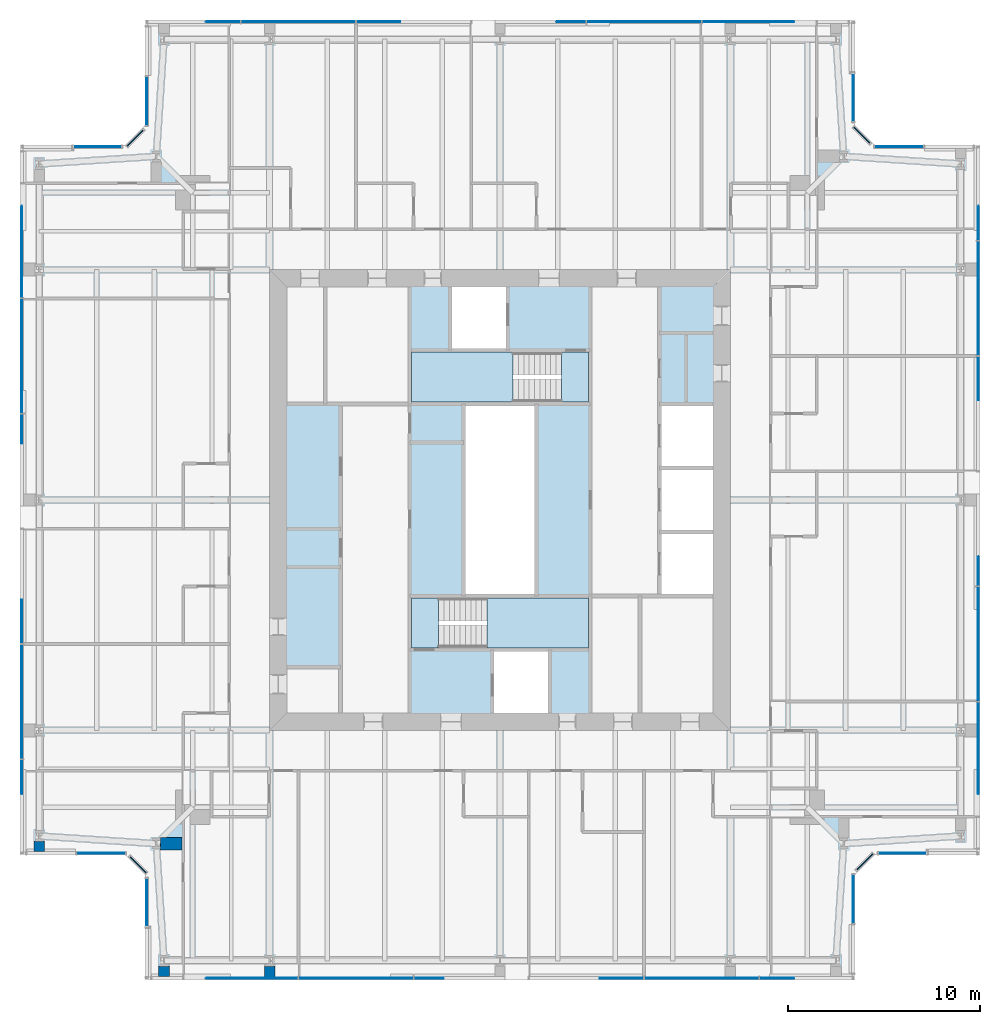
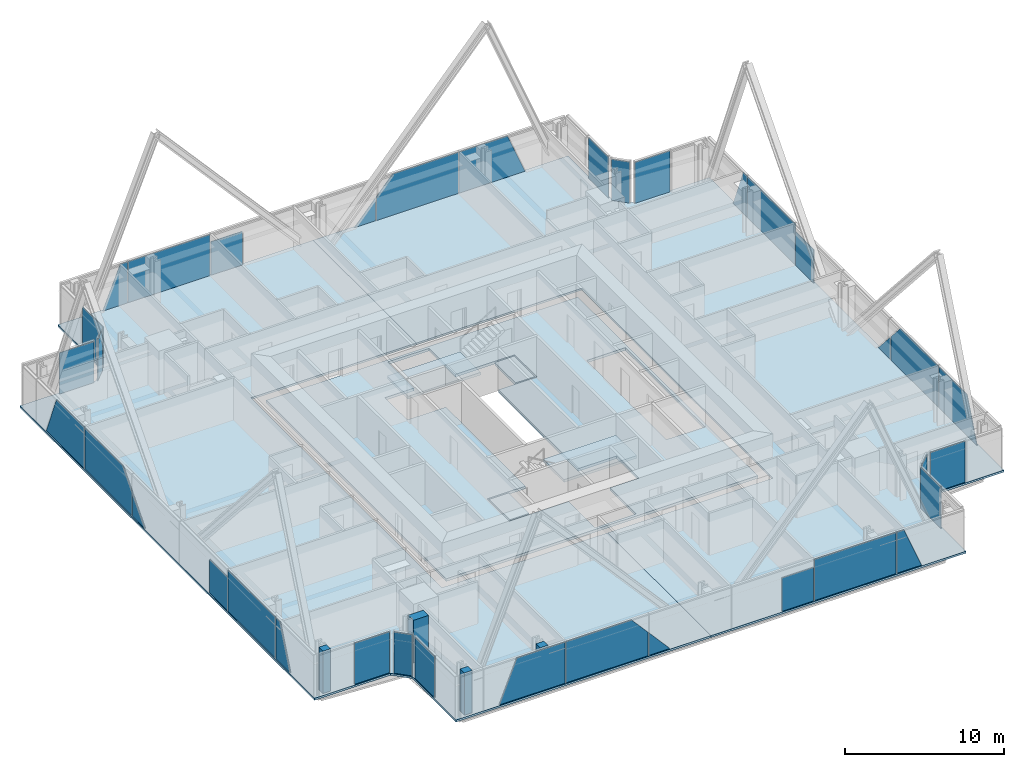
# One storey, part 10 of 20: 36 plates, 7 slabs, 4 walls, 18 elements without a shape of their own.
"""IFC4 building model written with IfcOpenShell, lengths in metres."""

import ifcopenshell
import ifcopenshell.guid

model = None  # the IFC model being written
_history = None  # IfcOwnerHistory: only IFC2X3 demands one
_inside = {}  # id of a spatial element -> (the spatial element, [elements in it])
_under = {}  # id of a project, library or spatial element -> (it, [spatial elements below it])
_declared = {}  # id of a project -> (the project, [libraries it declares])
_typed = {}  # id of a type object -> (the type object, [elements of that type])
_made_of = {}  # id of a material, layer set ... -> (it, [elements and type objects made of it])


def new_model(schema):
    """Start an empty IFC model of exactly this schema.

    Asked for "IFC4X3", IfcOpenShell would pick the latest addendum, in which some entities
    have other attributes; the version numbers below select the first issue.
    IFC2X3 requires an IfcOwnerHistory on every rooted entity: one is made here for all.
    """
    global model, _history
    if schema == "IFC4X3":
        model = ifcopenshell.file(schema_version=(4, 3, 0, 0))
    else:
        model = ifcopenshell.file(schema=schema)
    _inside.clear()
    _under.clear()
    _declared.clear()
    _typed.clear()
    _made_of.clear()
    _history = None
    if model.schema == "IFC2X3":
        org = make("IfcOrganization", Name="unknown")
        user = make(
            "IfcPersonAndOrganization",
            ThePerson=make("IfcPerson", FamilyName="unknown"),
            TheOrganization=org,
        )
        app = make(
            "IfcApplication",
            ApplicationDeveloper=org,
            Version="unknown",
            ApplicationFullName="unknown",
            ApplicationIdentifier="unknown",
        )
        _history = make(
            "IfcOwnerHistory",
            OwningUser=user,
            OwningApplication=app,
            ChangeAction="ADDED",
            CreationDate=0,
        )
    return model


def make(cls, **values):
    """One entity of the class cls with the attributes given. An attribute that is None is left unset."""
    return model.create_entity(
        cls, **{name: value for name, value in values.items() if value is not None}
    )


def rooted(cls, **values):
    """An entity with a GlobalId (a new one), such as an element, a storey or a relation."""
    return make(cls, GlobalId=ifcopenshell.guid.new(), OwnerHistory=_history, **values)


def si_unit(unit_type, name, prefix=None):
    """IfcSIUnit, for example si_unit("LENGTHUNIT", "METRE", prefix="MILLI")."""
    return make("IfcSIUnit", UnitType=unit_type, Prefix=prefix, Name=name)


def assignment(units):
    """IfcUnitAssignment: the units of a project."""
    return None if units is None else make("IfcUnitAssignment", Units=units)


def point(xyz):
    """IfcCartesianPoint."""
    return None if xyz is None else make("IfcCartesianPoint", Coordinates=xyz)


def direction(xyz):
    """IfcDirection."""
    return None if xyz is None else make("IfcDirection", DirectionRatios=xyz)


def frame(location, z_axis=None, x_axis=None):
    """IfcAxis2Placement3D, a coordinate frame: its origin and axes. An axis left out is left unset."""
    return make(
        "IfcAxis2Placement3D",
        Location=point(location),
        Axis=direction(z_axis),
        RefDirection=direction(x_axis),
    )


def frame_2d(location, x_axis=None):
    """IfcAxis2Placement2D, a coordinate frame in the plane: its origin and x axis."""
    return make(
        "IfcAxis2Placement2D", Location=point(location), RefDirection=direction(x_axis)
    )


def origin():
    """The frame at (0, 0, 0) with its axes left unset."""
    return frame((0.0, 0.0, 0.0))


def origin_2d():
    """The frame at (0, 0) in the plane with its x axis left unset."""
    return frame_2d((0.0, 0.0))


def place(relative_to, where):
    """IfcLocalPlacement: puts the frame where relative to a parent placement (None: the world)."""
    return make(
        "IfcLocalPlacement", PlacementRelTo=relative_to, RelativePlacement=where
    )


def context(
    kind, dimensions, precision=None, world=None, true_north=None, identifier=None
):
    """IfcGeometricRepresentationContext, for example the 3D "Model" context."""
    return make(
        "IfcGeometricRepresentationContext",
        ContextIdentifier=identifier,
        ContextType=kind,
        CoordinateSpaceDimension=dimensions,
        Precision=precision,
        WorldCoordinateSystem=world,
        TrueNorth=true_north,
    )


def subcontext(parent, identifier, kind, view, scale=None):
    """IfcGeometricRepresentationSubContext, for example "Body" below "Model"."""
    return make(
        "IfcGeometricRepresentationSubContext",
        ContextIdentifier=identifier,
        ContextType=kind,
        ParentContext=parent,
        TargetScale=scale,
        TargetView=view,
    )


def project(units=None, contexts=None):
    """IfcProject with its units and contexts."""
    return rooted(
        "IfcProject",
        Name="project",
        RepresentationContexts=contexts,
        UnitsInContext=assignment(units),
    )


def spatial(cls, under=None, at=None, **own):
    """A site, building, storey or space (cls), placed at a placement, below another one or the project."""
    s = rooted(cls, ObjectPlacement=at, **own)
    if under is not None:
        _under.setdefault(under.id(), (under, []))[1].append(s)
    return s


def polyline(points):
    """IfcPolyline through the points."""
    return make("IfcPolyline", Points=[point(p) for p in points])


def profile(cls, at=None, kind="AREA", **sizes):
    """A parametric profile (cls). Its sizes go by their IFC names, for example OverallWidth=200.0."""
    return make(cls, ProfileType=kind, Position=at, **sizes)


def rectangle(**sizes):
    """IfcRectangleProfileDef."""
    return profile("IfcRectangleProfileDef", **sizes)


def outline(outer, holes=None, kind="AREA"):
    """IfcArbitraryClosedProfileDef: a profile drawn as a closed curve; with holes, ...WithVoids."""
    if holes is None:
        return make("IfcArbitraryClosedProfileDef", ProfileType=kind, OuterCurve=outer)
    return make(
        "IfcArbitraryProfileDefWithVoids",
        ProfileType=kind,
        OuterCurve=outer,
        InnerCurves=holes,
    )


def extrude(swept, where, along, depth):
    """IfcExtrudedAreaSolid: the profile swept, set in the frame where, extruded along a direction by depth."""
    return make(
        "IfcExtrudedAreaSolid",
        SweptArea=swept,
        Position=where,
        ExtrudedDirection=direction(along),
        Depth=depth,
    )


def shape(context_of_items, identifier, shape_type, items):
    """IfcShapeRepresentation: the items that make up one representation, for example the "Body"."""
    return make(
        "IfcShapeRepresentation",
        ContextOfItems=context_of_items,
        RepresentationIdentifier=identifier,
        RepresentationType=shape_type,
        Items=items,
    )


def material(Name=None, Category=None):
    """IfcMaterial."""
    return make("IfcMaterial", Name=Name, Category=Category)


def layer(
    of_material, thickness, ventilated=None, Name=None, Category=None, Priority=None
):
    """IfcMaterialLayer: one layer of a wall or slab, of a material (None: an air gap)."""
    return make(
        "IfcMaterialLayer",
        Material=of_material,
        LayerThickness=thickness,
        IsVentilated=ventilated,
        Name=Name,
        Category=Category,
        Priority=Priority,
    )


def layer_set(layers, Name=None):
    """IfcMaterialLayerSet."""
    return make("IfcMaterialLayerSet", MaterialLayers=layers, LayerSetName=Name)


def made_of(thing, what):
    """Note that an element or type object is made of a material, layer set ...; save() writes the relation."""
    if what is not None:
        _made_of.setdefault(what.id(), (what, []))[1].append(thing)
    return thing


def type_object(cls, material=None, **own):
    """A type object (cls), such as IfcWallType, which elements share."""
    return made_of(rooted(cls, **own), material)


def element(
    cls,
    number,
    at=None,
    inside=None,
    cuts=None,
    type_object=None,
    material=None,
    context=None,
    identifier="Body",
    shape_type=None,
    held_by="IfcProductDefinitionShape",
    body=None,
    shapes=None,
    **own,
):
    """One element of the class cls, such as IfcWall. Its Tag is "e" and its number.

    at: its placement. inside: the storey or other place that contains it. cuts: it is an
    opening in that element (IfcRelVoidsElement). A single representation is given by context,
    identifier, shape_type and body (its items); several are given by shapes. held_by: the class
    of the entity that holds the representations. save() writes the other relations.
    """
    e = rooted(cls, Tag="e%d" % number, ObjectPlacement=at, **own)
    if body is not None:
        shapes = [shape(context, identifier, shape_type, body)]
    if shapes is not None:
        e.Representation = make(held_by, Representations=shapes)
    if inside is not None:
        _inside.setdefault(inside.id(), (inside, []))[1].append(e)
    if cuts is not None:
        rooted(
            "IfcRelVoidsElement", RelatingBuildingElement=cuts, RelatedOpeningElement=e
        )
    if type_object is not None:
        _typed.setdefault(type_object.id(), (type_object, []))[1].append(e)
    return made_of(e, material)


def aggregate(whole, parts):
    """IfcRelAggregates: a whole, such as a stair, and the parts it consists of."""
    return rooted("IfcRelAggregates", RelatingObject=whole, RelatedObjects=parts)


def save(model, path):
    """Write the relations noted so far, then the file.

    IfcRelAggregates (storeys below a building ...), IfcRelContainedInSpatialStructure (elements
    in a storey), IfcRelDefinesByType, IfcRelAssociatesMaterial and IfcRelDeclares: one each for
    every whole, place, type object, material and project.
    """
    for whole, parts in _under.values():
        aggregate(whole, parts)
    for where, things in _inside.values():
        rooted(
            "IfcRelContainedInSpatialStructure",
            RelatedElements=things,
            RelatingStructure=where,
        )
    for kind, things in _typed.values():
        rooted("IfcRelDefinesByType", RelatedObjects=things, RelatingType=kind)
    for what, things in _made_of.values():
        rooted("IfcRelAssociatesMaterial", RelatedObjects=things, RelatingMaterial=what)
    for by, libraries in _declared.values():
        rooted("IfcRelDeclares", RelatingContext=by, RelatedDefinitions=libraries)
    model.write(path)


model = new_model("IFC4")

# Units and contexts
model_context = context("Model", 3, precision=1e-05, world=origin(), true_north=direction((0.0, 1.0)))
body_context = subcontext(model_context, "Body", "Model", "MODEL_VIEW")
ifc_project = project(units=[si_unit("LENGTHUNIT", "METRE"), si_unit("AREAUNIT", "SQUARE_METRE"), si_unit("VOLUMEUNIT", "CUBIC_METRE"), si_unit("PLANEANGLEUNIT", "RADIAN"), si_unit("MASSUNIT", "GRAM", prefix="KILO")], contexts=[model_context])

# Site, building, storey
site_placement = place(None, origin())
site = spatial("IfcSite", under=ifc_project, at=site_placement, CompositionType="ELEMENT")
building_placement = place(site_placement, origin())
building = spatial("IfcBuilding", under=site, at=building_placement, Name="Fenwick Lantern Interchange", CompositionType="ELEMENT")
storey_placement = place(building_placement, frame((0.0, 0.0, 256.0)))
storey = spatial("IfcBuildingStorey", under=building, at=storey_placement, Name="L60", CompositionType="ELEMENT", Elevation=256.0)

# Slabs
ifc_material_1 = material(Name="Concrete f'c 35 MPa", Category="concrete")
ifc_layer_1 = layer(ifc_material_1, 0.199951171875)
ifc_layer_set_1 = layer_set([ifc_layer_1], Name="CORE FLOOR SLAB 200")
slab_type_1 = type_object("IfcSlabType", Name="CORE FLOOR SLAB 200", PredefinedType="FLOOR", material=ifc_layer_set_1)
slab_1_placement = place(storey_placement, frame((0.0, 0.0, -0.199951171875)))
element("IfcSlab", 1, at=slab_1_placement, inside=storey, type_object=slab_type_1, Name="L60/SLAB/CORE", PredefinedType="FLOOR", context=body_context, shape_type="SweptSolid", body=[
    extrude(outline(polyline([(13.699951171875, 36.300048828125), (36.300048828125, 36.300048828125), (36.300048828125, 13.699951171875), (13.699951171875, 13.699951171875), (13.699951171875, 36.300048828125)]), holes=[polyline([(24.60009765625, 13.89990234375), (27.60009765625, 13.89990234375), (27.60009765625, 17.199951171875), (29.699951171875, 17.199951171875), (29.699951171875, 20.0), (26.89990234375, 20.0), (26.89990234375, 30.0), (29.699951171875, 30.0), (29.699951171875, 32.800048828125), (25.39990234375, 32.800048828125), (25.39990234375, 36.10009765625), (22.39990234375, 36.10009765625), (22.39990234375, 32.800048828125), (20.300048828125, 32.800048828125), (20.300048828125, 30.0), (23.10009765625, 30.0), (23.10009765625, 20.0), (20.300048828125, 20.0), (20.300048828125, 17.199951171875), (24.60009765625, 17.199951171875), (24.60009765625, 13.89990234375)]), polyline([(33.300048828125, 20.0), (36.10009765625, 20.0), (36.10009765625, 23.333251953125), (36.10009765625, 26.666748046875), (36.10009765625, 30.0), (33.300048828125, 30.0), (33.300048828125, 26.666748046875), (33.300048828125, 23.333251953125), (33.300048828125, 20.0)])]), origin(), (0.0, 0.0, 1.0), 0.199951171875),
])
ifc_material_2 = material(Name="Concrete f'c 35 MPa", Category="concrete")
ifc_layer_2 = layer(ifc_material_2, 0.14990234375)
ifc_layer_set_2 = layer_set([ifc_layer_2], Name="Concrete f'c 35 MPa")
slab_type_2 = type_object("IfcSlabType", Name="FLOOR SLAB 150", PredefinedType="FLOOR", material=ifc_layer_set_2)
slab_2_placement = place(storey_placement, frame((0.0, 0.0, -0.14990234375)))
element("IfcSlab", 2, at=slab_2_placement, inside=storey, type_object=slab_type_2, Name="L60/SLAB/FW", PredefinedType="FLOOR", context=body_context, shape_type="SweptSolid", body=[
    extrude(outline(polyline([(6.5, 0.0), (6.5, 5.5), (5.5, 6.5), (0.0, 6.5), (0.0, 43.5), (5.5, 43.5), (6.5, 44.5), (6.5, 50.0), (25.0, 50.0), (25.0, 37.0), (13.0, 37.0), (13.0, 13.0), (25.0, 13.0), (25.0, 0.0), (6.5, 0.0)])), origin(), (0.0, 0.0, 1.0), 0.14990234375),
])
slab_3_placement = place(storey_placement, frame((0.0, 0.0, -0.14990234375)))
element("IfcSlab", 3, at=slab_3_placement, inside=storey, type_object=slab_type_2, Name="L60/SLAB/FE", PredefinedType="FLOOR", context=body_context, shape_type="SweptSolid", body=[
    extrude(outline(polyline([(43.5, 50.0), (43.5, 44.5), (44.5, 43.5), (50.0, 43.5), (50.0, 6.5), (44.5, 6.5), (43.5, 5.5), (43.5, 0.0), (25.0, 0.0), (25.0, 13.0), (37.0, 13.0), (37.0, 37.0), (25.0, 37.0), (25.0, 50.0), (43.5, 50.0)])), origin(), (0.0, 0.0, 1.0), 0.14990234375),
])

# Curtain wall, plates
ifc_material_3 = material(Name="Aluminium curtain wall frame", Category="aluminium")
curtain_wall_type = type_object("IfcCurtainWallType", Name="HOTEL CURTAIN WALL", PredefinedType="USERDEFINED", material=ifc_material_3)
curtain_wall_1_placement = place(storey_placement, origin())
curtain_wall_1 = element("IfcCurtainWall", 4, at=curtain_wall_1_placement, inside=storey, type_object=curtain_wall_type, Name="Hotel curtain wall 01", ObjectType="HOTEL CURTAIN WALL", PredefinedType="USERDEFINED")
ifc_material_4 = material(Name="Vision glass, acoustic laminated double glazed unit", Category="glass")
ifc_layer_3 = layer(ifc_material_4, 0.052001953125)
ifc_layer_set_3 = layer_set([ifc_layer_3], Name="HOTEL CURTAIN WALL PANEL 52")
plate_type = type_object("IfcPlateType", Name="HOTEL CURTAIN WALL PANEL 52", PredefinedType="CURTAIN_PANEL", material=ifc_layer_set_3)
plate_1_placement = place(storey_placement, frame((6.60009765625, 0.10009765625, 0.0), z_axis=(0.0, 0.0, 1.0), x_axis=(1.0, 0.0, 0.0)))
plate_1 = element("IfcPlate", 5, at=plate_1_placement, type_object=plate_type, Name="L60/CW/01/P01a", PredefinedType="CURTAIN_PANEL", context=body_context, shape_type="SweptSolid", body=[
    extrude(outline(polyline([(3.086669921875, 0.0), (7.8701171875, 0.0), (7.8701171875, 3.14990234375), (4.360595703125, 3.14990234375), (3.086669921875, 0.0)])), frame((0.0, 0.02587890625, 0.0), z_axis=(0.0, -1.0, 0.0), x_axis=(1.0, 0.0, 0.0)), (0.0, 0.0, 1.0), 0.052001953125),
])
plate_2_placement = place(storey_placement, frame((6.60009765625, 0.10009765625, 0.0), z_axis=(0.0, 0.0, 1.0), x_axis=(1.0, 0.0, 0.0)))
plate_2 = element("IfcPlate", 6, at=plate_2_placement, type_object=plate_type, Name="L60/CW/01/P02a", PredefinedType="CURTAIN_PANEL", context=body_context, shape_type="SweptSolid", body=[
    extrude(outline(polyline([(7.929931640625, 0.0), (13.8701171875, 0.0), (13.8701171875, 1.807373046875), (12.685302734375, 3.14990234375), (7.929931640625, 3.14990234375), (7.929931640625, 0.0)])), frame((0.0, 0.02587890625, 0.0), z_axis=(0.0, -1.0, 0.0), x_axis=(1.0, 0.0, 0.0)), (0.0, 0.0, 1.0), 0.052001953125),
])
plate_3_placement = place(storey_placement, frame((6.60009765625, 0.10009765625, 0.0), z_axis=(0.0, 0.0, 1.0), x_axis=(1.0, 0.0, 0.0)))
plate_3 = element("IfcPlate", 7, at=plate_3_placement, type_object=plate_type, Name="L60/CW/01/P03a", PredefinedType="CURTAIN_PANEL", context=body_context, shape_type="SweptSolid", body=[
    extrude(outline(polyline([(13.929931640625, 0.0), (15.46484375, 0.0), (13.929931640625, 1.739501953125), (13.929931640625, 0.0)])), frame((0.0, 0.02587890625, 0.0), z_axis=(0.0, -1.0, 0.0), x_axis=(1.0, 0.0, 0.0)), (0.0, 0.0, 1.0), 0.052001953125),
])
plate_4_placement = place(storey_placement, frame((6.60009765625, 0.10009765625, 0.0), z_axis=(0.0, 0.0, 1.0), x_axis=(1.0, 0.0, 0.0)))
plate_4 = element("IfcPlate", 8, at=plate_4_placement, type_object=plate_type, Name="L60/CW/01/P04a", PredefinedType="CURTAIN_PANEL", context=body_context, shape_type="SweptSolid", body=[
    extrude(outline(polyline([(23.600341796875, 0.0), (25.8701171875, 0.0), (25.8701171875, 2.56689453125), (23.600341796875, 2.56689453125), (23.600341796875, 0.0)])), frame((0.0, 0.02587890625, 0.0), z_axis=(0.0, -1.0, 0.0), x_axis=(1.0, 0.0, 0.0)), (0.0, 0.0, 1.0), 0.052001953125),
])
plate_5_placement = place(storey_placement, frame((35.5, 0.10009765625, 0.0), z_axis=(0.0, 0.0, 1.0), x_axis=(1.0, 0.0, 0.0)))
plate_5 = element("IfcPlate", 9, at=plate_5_placement, type_object=plate_type, Name="L60/CW/01/P05", PredefinedType="CURTAIN_PANEL", context=body_context, shape_type="SweptSolid", body=[
    extrude(rectangle(XDim=5.93994140625, YDim=0.052001953125, at=origin_2d()), origin(), (0.0, 0.0, 1.0), 3.14990234375),
])
plate_6_placement = place(storey_placement, frame((6.60009765625, 0.10009765625, 0.0), z_axis=(0.0, 0.0, 1.0), x_axis=(1.0, 0.0, 0.0)))
plate_6 = element("IfcPlate", 10, at=plate_6_placement, type_object=plate_type, Name="L60/CW/01/P06a", PredefinedType="CURTAIN_PANEL", context=body_context, shape_type="SweptSolid", body=[
    extrude(outline(polyline([(31.929931640625, 0.0), (33.71337890625, 0.0), (32.439453125, 3.14990234375), (31.929931640625, 3.14990234375), (31.929931640625, 0.0)])), frame((0.0, 0.02587890625, 0.0), z_axis=(0.0, -1.0, 0.0), x_axis=(1.0, 0.0, 0.0)), (0.0, 0.0, 1.0), 0.052001953125),
])
aggregate(curtain_wall_1, [plate_1, plate_2, plate_3, plate_4, plate_5, plate_6])

# Curtain wall, plate
curtain_wall_2_placement = place(storey_placement, origin())
curtain_wall_2 = element("IfcCurtainWall", 11, at=curtain_wall_2_placement, inside=storey, type_object=curtain_wall_type, Name="Hotel curtain wall 02", ObjectType="HOTEL CURTAIN WALL", PredefinedType="USERDEFINED")
plate_7_placement = place(storey_placement, frame((43.39990234375, 4.216064453125, 0.0), z_axis=(0.0, 0.0, 1.0), x_axis=(0.0, 1.0, 0.0)))
plate_7 = element("IfcPlate", 12, at=plate_7_placement, type_object=plate_type, Name="L60/CW/02/P01", PredefinedType="CURTAIN_PANEL", context=body_context, shape_type="SweptSolid", body=[
    extrude(rectangle(XDim=2.53076171875, YDim=0.052001953125, at=origin_2d()), origin(), (0.0, 0.0, 1.0), 3.14990234375),
])
aggregate(curtain_wall_2, [plate_7])

curtain_wall_3_placement = place(storey_placement, origin())
curtain_wall_3 = element("IfcCurtainWall", 13, at=curtain_wall_3_placement, inside=storey, type_object=curtain_wall_type, Name="Hotel curtain wall 03", ObjectType="HOTEL CURTAIN WALL", PredefinedType="USERDEFINED")
plate_8_placement = place(storey_placement, frame((44.0, 6.141357421875, 0.0), z_axis=(0.0, 0.0, 1.0), x_axis=(0.707106781187, 0.707106781187, 0.0)))
plate_8 = element("IfcPlate", 14, at=plate_8_placement, type_object=plate_type, Name="L60/CW/03/P00", PredefinedType="CURTAIN_PANEL", context=body_context, shape_type="SweptSolid", body=[
    extrude(rectangle(XDim=1.177001953125, YDim=0.052001953125, at=origin_2d()), origin(), (0.0, 0.0, 1.0), 3.14990234375),
])
aggregate(curtain_wall_3, [plate_8])

curtain_wall_4_placement = place(storey_placement, origin())
curtain_wall_4 = element("IfcCurtainWall", 15, at=curtain_wall_4_placement, inside=storey, type_object=curtain_wall_type, Name="Hotel curtain wall 04", ObjectType="HOTEL CURTAIN WALL", PredefinedType="USERDEFINED")
plate_9_placement = place(storey_placement, frame((44.45849609375, 6.60009765625, 0.0), z_axis=(0.0, 0.0, 1.0), x_axis=(1.0, 0.0, 0.0)))
plate_9 = element("IfcPlate", 16, at=plate_9_placement, type_object=plate_type, Name="L60/CW/04/P00a", PredefinedType="CURTAIN_PANEL", context=body_context, shape_type="SweptSolid", body=[
    extrude(outline(polyline([(0.260009765625, 0.0), (2.741455078125, 0.0), (2.741455078125, 3.14990234375), (0.260009765625, 3.14990234375), (0.260009765625, 0.0)])), frame((0.0, 0.02587890625, 0.0), z_axis=(0.0, -1.0, 0.0), x_axis=(1.0, 0.0, 0.0)), (0.0, 0.0, 1.0), 0.052001953125),
])
aggregate(curtain_wall_4, [plate_9])

# Curtain wall, plates
curtain_wall_5_placement = place(storey_placement, origin())
curtain_wall_5 = element("IfcCurtainWall", 17, at=curtain_wall_5_placement, inside=storey, type_object=curtain_wall_type, Name="Hotel curtain wall 05", ObjectType="HOTEL CURTAIN WALL", PredefinedType="USERDEFINED")
plate_10_placement = place(storey_placement, frame((49.89990234375, 6.60009765625, 0.0), z_axis=(0.0, 0.0, 1.0), x_axis=(0.0, 1.0, 0.0)))
plate_10 = element("IfcPlate", 18, at=plate_10_placement, type_object=plate_type, Name="L60/CW/05/P01a", PredefinedType="CURTAIN_PANEL", context=body_context, shape_type="SweptSolid", body=[
    extrude(outline(polyline([(3.086669921875, 0.0), (7.8701171875, 0.0), (7.8701171875, 3.14990234375), (4.360595703125, 3.14990234375), (3.086669921875, 0.0)])), frame((0.0, 0.02587890625, 0.0), z_axis=(0.0, -1.0, 0.0), x_axis=(1.0, 0.0, 0.0)), (0.0, 0.0, 1.0), 0.052001953125),
])
plate_11_placement = place(storey_placement, frame((49.89990234375, 6.60009765625, 0.0), z_axis=(0.0, 0.0, 1.0), x_axis=(0.0, 1.0, 0.0)))
plate_11 = element("IfcPlate", 19, at=plate_11_placement, type_object=plate_type, Name="L60/CW/05/P02a", PredefinedType="CURTAIN_PANEL", context=body_context, shape_type="SweptSolid", body=[
    extrude(outline(polyline([(7.929931640625, 0.0), (13.8701171875, 0.0), (13.8701171875, 1.807373046875), (12.685302734375, 3.14990234375), (7.929931640625, 3.14990234375), (7.929931640625, 0.0)])), frame((0.0, 0.02587890625, 0.0), z_axis=(0.0, -1.0, 0.0), x_axis=(1.0, 0.0, 0.0)), (0.0, 0.0, 1.0), 0.052001953125),
])
plate_12_placement = place(storey_placement, frame((49.89990234375, 6.60009765625, 0.0), z_axis=(0.0, 0.0, 1.0), x_axis=(0.0, 1.0, 0.0)))
plate_12 = element("IfcPlate", 20, at=plate_12_placement, type_object=plate_type, Name="L60/CW/05/P03a", PredefinedType="CURTAIN_PANEL", context=body_context, shape_type="SweptSolid", body=[
    extrude(outline(polyline([(13.929931640625, 0.0), (15.46484375, 0.0), (13.929931640625, 1.739501953125), (13.929931640625, 0.0)])), frame((0.0, 0.02587890625, 0.0), z_axis=(0.0, -1.0, 0.0), x_axis=(1.0, 0.0, 0.0)), (0.0, 0.0, 1.0), 0.052001953125),
])
plate_13_placement = place(storey_placement, frame((49.89990234375, 6.60009765625, 0.0), z_axis=(0.0, 0.0, 1.0), x_axis=(0.0, 1.0, 0.0)))
plate_13 = element("IfcPlate", 21, at=plate_13_placement, type_object=plate_type, Name="L60/CW/05/P04a", PredefinedType="CURTAIN_PANEL", context=body_context, shape_type="SweptSolid", body=[
    extrude(outline(polyline([(23.600341796875, 0.0), (25.8701171875, 0.0), (25.8701171875, 2.56689453125), (23.600341796875, 2.56689453125), (23.600341796875, 0.0)])), frame((0.0, 0.02587890625, 0.0), z_axis=(0.0, -1.0, 0.0), x_axis=(1.0, 0.0, 0.0)), (0.0, 0.0, 1.0), 0.052001953125),
])
plate_14_placement = place(storey_placement, frame((49.89990234375, 35.5, 0.0), z_axis=(0.0, 0.0, 1.0), x_axis=(0.0, 1.0, 0.0)))
plate_14 = element("IfcPlate", 22, at=plate_14_placement, type_object=plate_type, Name="L60/CW/05/P05", PredefinedType="CURTAIN_PANEL", context=body_context, shape_type="SweptSolid", body=[
    extrude(rectangle(XDim=5.93994140625, YDim=0.052001953125, at=origin_2d()), origin(), (0.0, 0.0, 1.0), 3.14990234375),
])
plate_15_placement = place(storey_placement, frame((49.89990234375, 6.60009765625, 0.0), z_axis=(0.0, 0.0, 1.0), x_axis=(0.0, 1.0, 0.0)))
plate_15 = element("IfcPlate", 23, at=plate_15_placement, type_object=plate_type, Name="L60/CW/05/P06a", PredefinedType="CURTAIN_PANEL", context=body_context, shape_type="SweptSolid", body=[
    extrude(outline(polyline([(31.929931640625, 0.0), (33.71337890625, 0.0), (32.439453125, 3.14990234375), (31.929931640625, 3.14990234375), (31.929931640625, 0.0)])), frame((0.0, 0.02587890625, 0.0), z_axis=(0.0, -1.0, 0.0), x_axis=(1.0, 0.0, 0.0)), (0.0, 0.0, 1.0), 0.052001953125),
])
aggregate(curtain_wall_5, [plate_10, plate_11, plate_12, plate_13, plate_14, plate_15])

# Curtain wall, plate
curtain_wall_6_placement = place(storey_placement, origin())
curtain_wall_6 = element("IfcCurtainWall", 24, at=curtain_wall_6_placement, inside=storey, type_object=curtain_wall_type, Name="Hotel curtain wall 06", ObjectType="HOTEL CURTAIN WALL", PredefinedType="USERDEFINED")
plate_16_placement = place(storey_placement, frame((45.783935546875, 43.39990234375, 0.0), z_axis=(0.0, 0.0, 1.0), x_axis=(-1.0, 0.0, 0.0)))
plate_16 = element("IfcPlate", 25, at=plate_16_placement, type_object=plate_type, Name="L60/CW/06/P01", PredefinedType="CURTAIN_PANEL", context=body_context, shape_type="SweptSolid", body=[
    extrude(rectangle(XDim=2.53076171875, YDim=0.052001953125, at=origin_2d()), origin(), (0.0, 0.0, 1.0), 3.14990234375),
])
aggregate(curtain_wall_6, [plate_16])

curtain_wall_7_placement = place(storey_placement, origin())
curtain_wall_7 = element("IfcCurtainWall", 26, at=curtain_wall_7_placement, inside=storey, type_object=curtain_wall_type, Name="Hotel curtain wall 07", ObjectType="HOTEL CURTAIN WALL", PredefinedType="USERDEFINED")
plate_17_placement = place(storey_placement, frame((43.858642578125, 44.0, 0.0), z_axis=(0.0, 0.0, 1.0), x_axis=(-0.707106781187, 0.707106781187, 0.0)))
plate_17 = element("IfcPlate", 27, at=plate_17_placement, type_object=plate_type, Name="L60/CW/07/P00", PredefinedType="CURTAIN_PANEL", context=body_context, shape_type="SweptSolid", body=[
    extrude(rectangle(XDim=1.177001953125, YDim=0.052001953125, at=origin_2d()), origin(), (0.0, 0.0, 1.0), 3.14990234375),
])
aggregate(curtain_wall_7, [plate_17])

curtain_wall_8_placement = place(storey_placement, origin())
curtain_wall_8 = element("IfcCurtainWall", 28, at=curtain_wall_8_placement, inside=storey, type_object=curtain_wall_type, Name="Hotel curtain wall 08", ObjectType="HOTEL CURTAIN WALL", PredefinedType="USERDEFINED")
plate_18_placement = place(storey_placement, frame((43.39990234375, 44.45849609375, 0.0), z_axis=(0.0, 0.0, 1.0), x_axis=(0.0, 1.0, 0.0)))
plate_18 = element("IfcPlate", 29, at=plate_18_placement, type_object=plate_type, Name="L60/CW/08/P00a", PredefinedType="CURTAIN_PANEL", context=body_context, shape_type="SweptSolid", body=[
    extrude(outline(polyline([(0.260009765625, 0.0), (2.741455078125, 0.0), (2.741455078125, 3.14990234375), (0.260009765625, 3.14990234375), (0.260009765625, 0.0)])), frame((0.0, 0.02587890625, 0.0), z_axis=(0.0, -1.0, 0.0), x_axis=(1.0, 0.0, 0.0)), (0.0, 0.0, 1.0), 0.052001953125),
])
aggregate(curtain_wall_8, [plate_18])

# Curtain wall, plates
curtain_wall_9_placement = place(storey_placement, origin())
curtain_wall_9 = element("IfcCurtainWall", 30, at=curtain_wall_9_placement, inside=storey, type_object=curtain_wall_type, Name="Hotel curtain wall 09", ObjectType="HOTEL CURTAIN WALL", PredefinedType="USERDEFINED")
plate_19_placement = place(storey_placement, frame((43.39990234375, 49.89990234375, 0.0), z_axis=(0.0, 0.0, 1.0), x_axis=(-1.0, 0.0, 0.0)))
plate_19 = element("IfcPlate", 31, at=plate_19_placement, type_object=plate_type, Name="L60/CW/09/P01a", PredefinedType="CURTAIN_PANEL", context=body_context, shape_type="SweptSolid", body=[
    extrude(outline(polyline([(3.086669921875, 0.0), (7.8701171875, 0.0), (7.8701171875, 3.14990234375), (4.360595703125, 3.14990234375), (3.086669921875, 0.0)])), frame((0.0, 0.02587890625, 0.0), z_axis=(0.0, -1.0, 0.0), x_axis=(1.0, 0.0, 0.0)), (0.0, 0.0, 1.0), 0.052001953125),
])
plate_20_placement = place(storey_placement, frame((43.39990234375, 49.89990234375, 0.0), z_axis=(0.0, 0.0, 1.0), x_axis=(-1.0, 0.0, 0.0)))
plate_20 = element("IfcPlate", 32, at=plate_20_placement, type_object=plate_type, Name="L60/CW/09/P02a", PredefinedType="CURTAIN_PANEL", context=body_context, shape_type="SweptSolid", body=[
    extrude(outline(polyline([(7.929931640625, 0.0), (13.8701171875, 0.0), (13.8701171875, 1.807373046875), (12.685302734375, 3.14990234375), (7.929931640625, 3.14990234375), (7.929931640625, 0.0)])), frame((0.0, 0.02587890625, 0.0), z_axis=(0.0, -1.0, 0.0), x_axis=(1.0, 0.0, 0.0)), (0.0, 0.0, 1.0), 0.052001953125),
])
plate_21_placement = place(storey_placement, frame((43.39990234375, 49.89990234375, 0.0), z_axis=(0.0, 0.0, 1.0), x_axis=(-1.0, 0.0, 0.0)))
plate_21 = element("IfcPlate", 33, at=plate_21_placement, type_object=plate_type, Name="L60/CW/09/P03a", PredefinedType="CURTAIN_PANEL", context=body_context, shape_type="SweptSolid", body=[
    extrude(outline(polyline([(13.929931640625, 0.0), (15.46484375, 0.0), (13.929931640625, 1.739501953125), (13.929931640625, 0.0)])), frame((0.0, 0.02587890625, 0.0), z_axis=(0.0, -1.0, 0.0), x_axis=(1.0, 0.0, 0.0)), (0.0, 0.0, 1.0), 0.052001953125),
])
plate_22_placement = place(storey_placement, frame((43.39990234375, 49.89990234375, 0.0), z_axis=(0.0, 0.0, 1.0), x_axis=(-1.0, 0.0, 0.0)))
plate_22 = element("IfcPlate", 34, at=plate_22_placement, type_object=plate_type, Name="L60/CW/09/P04a", PredefinedType="CURTAIN_PANEL", context=body_context, shape_type="SweptSolid", body=[
    extrude(outline(polyline([(23.600341796875, 0.0), (25.8701171875, 0.0), (25.8701171875, 2.56689453125), (23.600341796875, 2.56689453125), (23.600341796875, 0.0)])), frame((0.0, 0.02587890625, 0.0), z_axis=(0.0, -1.0, 0.0), x_axis=(1.0, 0.0, 0.0)), (0.0, 0.0, 1.0), 0.052001953125),
])
plate_23_placement = place(storey_placement, frame((14.5, 49.89990234375, 0.0), z_axis=(0.0, 0.0, 1.0), x_axis=(-1.0, 0.0, 0.0)))
plate_23 = element("IfcPlate", 35, at=plate_23_placement, type_object=plate_type, Name="L60/CW/09/P05", PredefinedType="CURTAIN_PANEL", context=body_context, shape_type="SweptSolid", body=[
    extrude(rectangle(XDim=5.93994140625, YDim=0.052001953125, at=origin_2d()), origin(), (0.0, 0.0, 1.0), 3.14990234375),
])
plate_24_placement = place(storey_placement, frame((43.39990234375, 49.89990234375, 0.0), z_axis=(0.0, 0.0, 1.0), x_axis=(-1.0, 0.0, 0.0)))
plate_24 = element("IfcPlate", 36, at=plate_24_placement, type_object=plate_type, Name="L60/CW/09/P06a", PredefinedType="CURTAIN_PANEL", context=body_context, shape_type="SweptSolid", body=[
    extrude(outline(polyline([(31.929931640625, 0.0), (33.71337890625, 0.0), (32.439453125, 3.14990234375), (31.929931640625, 3.14990234375), (31.929931640625, 0.0)])), frame((0.0, 0.02587890625, 0.0), z_axis=(0.0, -1.0, 0.0), x_axis=(1.0, 0.0, 0.0)), (0.0, 0.0, 1.0), 0.052001953125),
])
aggregate(curtain_wall_9, [plate_19, plate_20, plate_21, plate_22, plate_23, plate_24])

# Curtain wall, plate
curtain_wall_10_placement = place(storey_placement, origin())
curtain_wall_10 = element("IfcCurtainWall", 37, at=curtain_wall_10_placement, inside=storey, type_object=curtain_wall_type, Name="Hotel curtain wall 10", ObjectType="HOTEL CURTAIN WALL", PredefinedType="USERDEFINED")
plate_25_placement = place(storey_placement, frame((6.60009765625, 45.783935546875, 0.0), z_axis=(0.0, 0.0, 1.0), x_axis=(0.0, -1.0, 0.0)))
plate_25 = element("IfcPlate", 38, at=plate_25_placement, type_object=plate_type, Name="L60/CW/10/P01", PredefinedType="CURTAIN_PANEL", context=body_context, shape_type="SweptSolid", body=[
    extrude(rectangle(XDim=2.53076171875, YDim=0.052001953125, at=origin_2d()), origin(), (0.0, 0.0, 1.0), 3.14990234375),
])
aggregate(curtain_wall_10, [plate_25])

curtain_wall_11_placement = place(storey_placement, origin())
curtain_wall_11 = element("IfcCurtainWall", 39, at=curtain_wall_11_placement, inside=storey, type_object=curtain_wall_type, Name="Hotel curtain wall 11", ObjectType="HOTEL CURTAIN WALL", PredefinedType="USERDEFINED")
plate_26_placement = place(storey_placement, frame((6.0, 43.858642578125, 0.0), z_axis=(0.0, 0.0, 1.0), x_axis=(-0.707106781187, -0.707106781187, 0.0)))
plate_26 = element("IfcPlate", 40, at=plate_26_placement, type_object=plate_type, Name="L60/CW/11/P00", PredefinedType="CURTAIN_PANEL", context=body_context, shape_type="SweptSolid", body=[
    extrude(rectangle(XDim=1.177001953125, YDim=0.052001953125, at=origin_2d()), origin(), (0.0, 0.0, 1.0), 3.14990234375),
])
aggregate(curtain_wall_11, [plate_26])

curtain_wall_12_placement = place(storey_placement, origin())
curtain_wall_12 = element("IfcCurtainWall", 41, at=curtain_wall_12_placement, inside=storey, type_object=curtain_wall_type, Name="Hotel curtain wall 12", ObjectType="HOTEL CURTAIN WALL", PredefinedType="USERDEFINED")
plate_27_placement = place(storey_placement, frame((5.54150390625, 43.39990234375, 0.0), z_axis=(0.0, 0.0, 1.0), x_axis=(-1.0, 0.0, 0.0)))
plate_27 = element("IfcPlate", 42, at=plate_27_placement, type_object=plate_type, Name="L60/CW/12/P00a", PredefinedType="CURTAIN_PANEL", context=body_context, shape_type="SweptSolid", body=[
    extrude(outline(polyline([(0.260009765625, 0.0), (2.741455078125, 0.0), (2.741455078125, 3.14990234375), (0.260009765625, 3.14990234375), (0.260009765625, 0.0)])), frame((0.0, 0.02587890625, 0.0), z_axis=(0.0, -1.0, 0.0), x_axis=(1.0, 0.0, 0.0)), (0.0, 0.0, 1.0), 0.052001953125),
])
aggregate(curtain_wall_12, [plate_27])

# Curtain wall, plates
curtain_wall_13_placement = place(storey_placement, origin())
curtain_wall_13 = element("IfcCurtainWall", 43, at=curtain_wall_13_placement, inside=storey, type_object=curtain_wall_type, Name="Hotel curtain wall 13", ObjectType="HOTEL CURTAIN WALL", PredefinedType="USERDEFINED")
plate_28_placement = place(storey_placement, frame((0.10009765625, 43.39990234375, 0.0), z_axis=(0.0, 0.0, 1.0), x_axis=(0.0, -1.0, 0.0)))
plate_28 = element("IfcPlate", 44, at=plate_28_placement, type_object=plate_type, Name="L60/CW/13/P01a", PredefinedType="CURTAIN_PANEL", context=body_context, shape_type="SweptSolid", body=[
    extrude(outline(polyline([(3.086669921875, 0.0), (7.8701171875, 0.0), (7.8701171875, 3.14990234375), (4.360595703125, 3.14990234375), (3.086669921875, 0.0)])), frame((0.0, 0.02587890625, 0.0), z_axis=(0.0, -1.0, 0.0), x_axis=(1.0, 0.0, 0.0)), (0.0, 0.0, 1.0), 0.052001953125),
])
plate_29_placement = place(storey_placement, frame((0.10009765625, 43.39990234375, 0.0), z_axis=(0.0, 0.0, 1.0), x_axis=(0.0, -1.0, 0.0)))
plate_29 = element("IfcPlate", 45, at=plate_29_placement, type_object=plate_type, Name="L60/CW/13/P02a", PredefinedType="CURTAIN_PANEL", context=body_context, shape_type="SweptSolid", body=[
    extrude(outline(polyline([(7.929931640625, 0.0), (13.8701171875, 0.0), (13.8701171875, 1.807373046875), (12.685302734375, 3.14990234375), (7.929931640625, 3.14990234375), (7.929931640625, 0.0)])), frame((0.0, 0.02587890625, 0.0), z_axis=(0.0, -1.0, 0.0), x_axis=(1.0, 0.0, 0.0)), (0.0, 0.0, 1.0), 0.052001953125),
])
plate_30_placement = place(storey_placement, frame((0.10009765625, 43.39990234375, 0.0), z_axis=(0.0, 0.0, 1.0), x_axis=(0.0, -1.0, 0.0)))
plate_30 = element("IfcPlate", 46, at=plate_30_placement, type_object=plate_type, Name="L60/CW/13/P03a", PredefinedType="CURTAIN_PANEL", context=body_context, shape_type="SweptSolid", body=[
    extrude(outline(polyline([(13.929931640625, 0.0), (15.46484375, 0.0), (13.929931640625, 1.739501953125), (13.929931640625, 0.0)])), frame((0.0, 0.02587890625, 0.0), z_axis=(0.0, -1.0, 0.0), x_axis=(1.0, 0.0, 0.0)), (0.0, 0.0, 1.0), 0.052001953125),
])
plate_31_placement = place(storey_placement, frame((0.10009765625, 43.39990234375, 0.0), z_axis=(0.0, 0.0, 1.0), x_axis=(0.0, -1.0, 0.0)))
plate_31 = element("IfcPlate", 47, at=plate_31_placement, type_object=plate_type, Name="L60/CW/13/P04a", PredefinedType="CURTAIN_PANEL", context=body_context, shape_type="SweptSolid", body=[
    extrude(outline(polyline([(23.600341796875, 0.0), (25.8701171875, 0.0), (25.8701171875, 2.56689453125), (23.600341796875, 2.56689453125), (23.600341796875, 0.0)])), frame((0.0, 0.02587890625, 0.0), z_axis=(0.0, -1.0, 0.0), x_axis=(1.0, 0.0, 0.0)), (0.0, 0.0, 1.0), 0.052001953125),
])
plate_32_placement = place(storey_placement, frame((0.10009765625, 14.5, 0.0), z_axis=(0.0, 0.0, 1.0), x_axis=(0.0, -1.0, 0.0)))
plate_32 = element("IfcPlate", 48, at=plate_32_placement, type_object=plate_type, Name="L60/CW/13/P05", PredefinedType="CURTAIN_PANEL", context=body_context, shape_type="SweptSolid", body=[
    extrude(rectangle(XDim=5.93994140625, YDim=0.052001953125, at=origin_2d()), origin(), (0.0, 0.0, 1.0), 3.14990234375),
])
plate_33_placement = place(storey_placement, frame((0.10009765625, 43.39990234375, 0.0), z_axis=(0.0, 0.0, 1.0), x_axis=(0.0, -1.0, 0.0)))
plate_33 = element("IfcPlate", 49, at=plate_33_placement, type_object=plate_type, Name="L60/CW/13/P06a", PredefinedType="CURTAIN_PANEL", context=body_context, shape_type="SweptSolid", body=[
    extrude(outline(polyline([(31.929931640625, 0.0), (33.71337890625, 0.0), (32.439453125, 3.14990234375), (31.929931640625, 3.14990234375), (31.929931640625, 0.0)])), frame((0.0, 0.02587890625, 0.0), z_axis=(0.0, -1.0, 0.0), x_axis=(1.0, 0.0, 0.0)), (0.0, 0.0, 1.0), 0.052001953125),
])
aggregate(curtain_wall_13, [plate_28, plate_29, plate_30, plate_31, plate_32, plate_33])

# Curtain wall, plate
curtain_wall_14_placement = place(storey_placement, origin())
curtain_wall_14 = element("IfcCurtainWall", 50, at=curtain_wall_14_placement, inside=storey, type_object=curtain_wall_type, Name="Hotel curtain wall 14", ObjectType="HOTEL CURTAIN WALL", PredefinedType="USERDEFINED")
plate_34_placement = place(storey_placement, frame((4.216064453125, 6.60009765625, 0.0), z_axis=(0.0, 0.0, 1.0), x_axis=(1.0, 0.0, 0.0)))
plate_34 = element("IfcPlate", 51, at=plate_34_placement, type_object=plate_type, Name="L60/CW/14/P01", PredefinedType="CURTAIN_PANEL", context=body_context, shape_type="SweptSolid", body=[
    extrude(rectangle(XDim=2.53076171875, YDim=0.052001953125, at=origin_2d()), origin(), (0.0, 0.0, 1.0), 3.14990234375),
])
aggregate(curtain_wall_14, [plate_34])

curtain_wall_15_placement = place(storey_placement, origin())
curtain_wall_15 = element("IfcCurtainWall", 52, at=curtain_wall_15_placement, inside=storey, type_object=curtain_wall_type, Name="Hotel curtain wall 15", ObjectType="HOTEL CURTAIN WALL", PredefinedType="USERDEFINED")
plate_35_placement = place(storey_placement, frame((6.141357421875, 6.0, 0.0), z_axis=(0.0, 0.0, 1.0), x_axis=(0.707106781187, -0.707106781187, 0.0)))
plate_35 = element("IfcPlate", 53, at=plate_35_placement, type_object=plate_type, Name="L60/CW/15/P00", PredefinedType="CURTAIN_PANEL", context=body_context, shape_type="SweptSolid", body=[
    extrude(rectangle(XDim=1.177001953125, YDim=0.052001953125, at=origin_2d()), origin(), (0.0, 0.0, 1.0), 3.14990234375),
])
aggregate(curtain_wall_15, [plate_35])

curtain_wall_16_placement = place(storey_placement, origin())
curtain_wall_16 = element("IfcCurtainWall", 54, at=curtain_wall_16_placement, inside=storey, type_object=curtain_wall_type, Name="Hotel curtain wall 16", ObjectType="HOTEL CURTAIN WALL", PredefinedType="USERDEFINED")
plate_36_placement = place(storey_placement, frame((6.60009765625, 5.54150390625, 0.0), z_axis=(0.0, 0.0, 1.0), x_axis=(0.0, -1.0, 0.0)))
plate_36 = element("IfcPlate", 55, at=plate_36_placement, type_object=plate_type, Name="L60/CW/16/P00a", PredefinedType="CURTAIN_PANEL", context=body_context, shape_type="SweptSolid", body=[
    extrude(outline(polyline([(0.260009765625, 0.0), (2.741455078125, 0.0), (2.741455078125, 3.14990234375), (0.260009765625, 3.14990234375), (0.260009765625, 0.0)])), frame((0.0, 0.02587890625, 0.0), z_axis=(0.0, -1.0, 0.0), x_axis=(1.0, 0.0, 0.0)), (0.0, 0.0, 1.0), 0.052001953125),
])
aggregate(curtain_wall_16, [plate_36])

# Stair, slabs
ifc_material_5 = material(Name="Precast concrete f'c 35 MPa", Category="concrete")
stair_type = type_object("IfcStairType", Name="EXIT STAIR 1200", PredefinedType="HALF_TURN_STAIR", material=ifc_material_5)
stair_1_placement = place(storey_placement, origin())
stair_1 = element("IfcStair", 56, at=stair_1_placement, inside=storey, type_object=stair_type, Name="Exit stair ST1", PredefinedType="HALF_TURN_STAIR")
ifc_layer_4 = layer(ifc_material_1, 0.199951171875)
ifc_layer_set_4 = layer_set([ifc_layer_4], Name="STAIR LANDING 200")
slab_type_3 = type_object("IfcSlabType", Name="STAIR LANDING 200", PredefinedType="LANDING", material=ifc_layer_set_4)
slab_4_placement = place(storey_placement, frame((0.0, 0.0, 1.5)))
slab_4 = element("IfcSlab", 57, at=slab_4_placement, type_object=slab_type_3, Name="ST1 landing 1", PredefinedType="LANDING", context=body_context, shape_type="SweptSolid", body=[
    extrude(outline(polyline([(24.320068359375, 17.300048828125), (29.60009765625, 17.300048828125), (29.60009765625, 19.89990234375), (24.320068359375, 19.89990234375), (24.320068359375, 17.300048828125)])), origin(), (0.0, 0.0, 1.0), 0.199951171875),
])
slab_5_placement = place(storey_placement, frame((0.0, 0.0, -0.199951171875)))
slab_5 = element("IfcSlab", 58, at=slab_5_placement, type_object=slab_type_3, Name="ST1 landing 2", PredefinedType="LANDING", context=body_context, shape_type="SweptSolid", body=[
    extrude(outline(polyline([(20.39990234375, 17.300048828125), (21.800048828125, 17.300048828125), (21.800048828125, 19.89990234375), (20.39990234375, 19.89990234375), (20.39990234375, 17.300048828125)])), origin(), (0.0, 0.0, 1.0), 0.199951171875),
])
aggregate(stair_1, [slab_4, slab_5])

stair_2_placement = place(storey_placement, origin())
stair_2 = element("IfcStair", 59, at=stair_2_placement, inside=storey, type_object=stair_type, Name="Exit stair ST2", PredefinedType="HALF_TURN_STAIR")
slab_6_placement = place(storey_placement, frame((0.0, 0.0, 1.5)))
slab_6 = element("IfcSlab", 60, at=slab_6_placement, type_object=slab_type_3, Name="ST2 landing 1", PredefinedType="LANDING", context=body_context, shape_type="SweptSolid", body=[
    extrude(outline(polyline([(25.679931640625, 32.699951171875), (20.39990234375, 32.699951171875), (20.39990234375, 30.10009765625), (25.679931640625, 30.10009765625), (25.679931640625, 32.699951171875)])), origin(), (0.0, 0.0, 1.0), 0.199951171875),
])
slab_7_placement = place(storey_placement, frame((0.0, 0.0, -0.199951171875)))
slab_7 = element("IfcSlab", 61, at=slab_7_placement, type_object=slab_type_3, Name="ST2 landing 2", PredefinedType="LANDING", context=body_context, shape_type="SweptSolid", body=[
    extrude(outline(polyline([(29.60009765625, 32.699951171875), (28.199951171875, 32.699951171875), (28.199951171875, 30.10009765625), (29.60009765625, 30.10009765625), (29.60009765625, 32.699951171875)])), origin(), (0.0, 0.0, 1.0), 0.199951171875),
])
aggregate(stair_2, [slab_6, slab_7])

# Walls
ifc_material_6 = material(Name="Fire-rated gypsum board encasement on steel studs, 2 hour", Category="steel")
ifc_layer_5 = layer(ifc_material_6, 0.554931640625)
ifc_layer_set_5 = layer_set([ifc_layer_5], Name="COLUMN PIER 555")
wall_type_1 = type_object("IfcWallType", Name="COLUMN PIER 555", PredefinedType="PARTITIONING", material=ifc_layer_set_5)
for number, where, z_axis, x_axis, name in (
    (62, (7.5, 0.18994140625, 0.0), (0.0, 0.0, 1.0), (0.0, 1.0, 0.0), "L60/W/PIER/CS1"),
    (63, (1.0, 6.68994140625, 0.0), (0.0, 0.0, 1.0), (0.0, 1.0, 0.0), "L60/W/PIER/CW5"),
    (64, (13.0, 0.18994140625, 0.0), (0.0, 0.0, 1.0), (0.0, 1.0, 0.0), "L60/W/PIER/CS2"),
):
    element("IfcWall", number, at=place(storey_placement, frame(where, z_axis=z_axis, x_axis=x_axis)), inside=storey, type_object=wall_type_1, Name=name, PredefinedType="PARTITIONING", context=body_context, shape_type="SweptSolid", body=[
        extrude(rectangle(XDim=0.525634765625, YDim=0.554931640625, at=frame_2d((0.2626953125, 0.0))), origin(), (0.0, 0.0, 1.0), 3.25),
    ])
ifc_layer_6 = layer(ifc_material_6, 0.6689453125)
ifc_layer_set_6 = layer_set([ifc_layer_6], Name="COLUMN PIER 669")
wall_type_2 = type_object("IfcWallType", Name="COLUMN PIER 669", PredefinedType="PARTITIONING", material=ifc_layer_set_6)
wall_placement = place(storey_placement, frame((8.425048828125, 7.10009765625, 0.0), z_axis=(0.0, 0.0, 1.0), x_axis=(-1.0, 0.0, 0.0)))
element("IfcWall", 65, at=wall_placement, inside=storey, type_object=wall_type_2, Name="L60/W/PIER/CWR", PredefinedType="PARTITIONING", context=body_context, shape_type="SweptSolid", body=[
    extrude(rectangle(XDim=1.09765625, YDim=0.6689453125, at=frame_2d((0.548828125, 0.0))), origin(), (0.0, 0.0, 1.0), 3.25),
])

save(model, "model.ifc")
